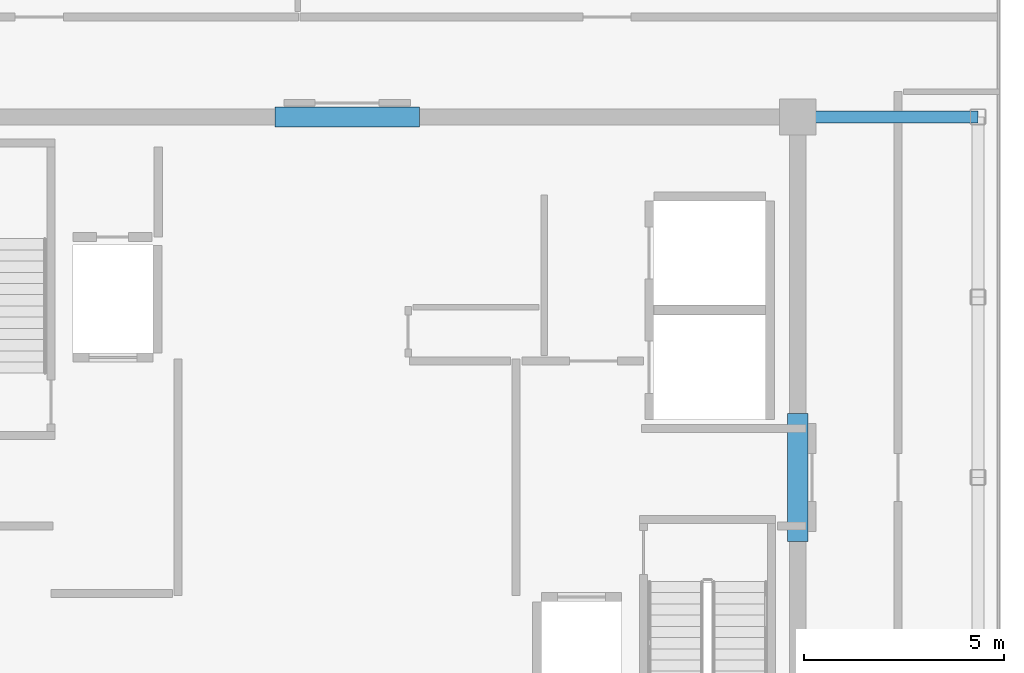
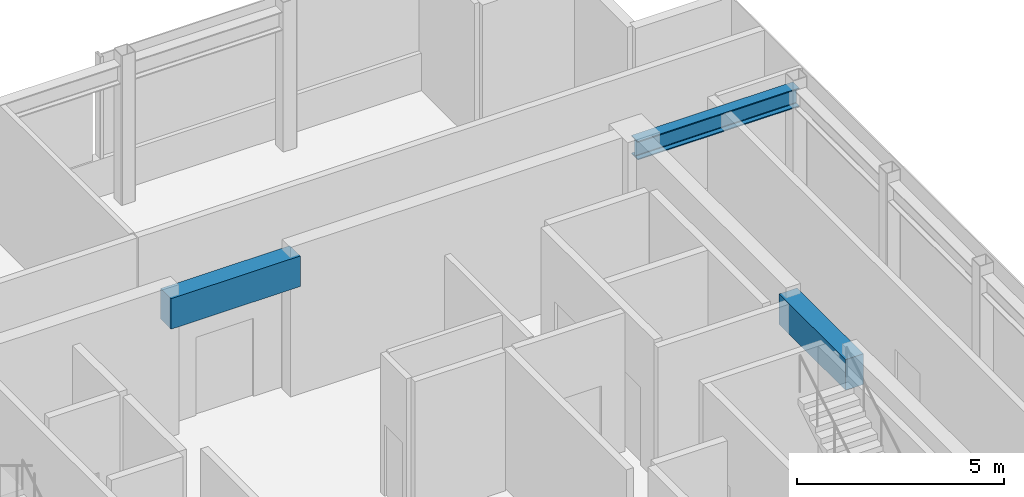
# One storey, part 6 of 14: 3 beams.
"""IFC4 building model written with IfcOpenShell, lengths in metres."""

from ifc_helpers import new_model, si_unit, direction, frame, origin, origin_2d, place, context, subcontext, project, spatial, rectangle, i_section, extrude, source, transform, mapped, material, material_profile, profile_set, type_object, element, save


model = new_model("IFC4")

# Units and contexts
model_context = context("Model", 3, precision=1e-05, world=origin(), true_north=direction((0.0, 1.0)))
body_context = subcontext(model_context, "Body", "Model", "MODEL_VIEW")
ifc_project = project(units=[si_unit("LENGTHUNIT", "METRE"), si_unit("AREAUNIT", "SQUARE_METRE"), si_unit("VOLUMEUNIT", "CUBIC_METRE"), si_unit("PLANEANGLEUNIT", "RADIAN"), si_unit("MASSUNIT", "GRAM", prefix="KILO")], contexts=[model_context])

# Site, building, storey
site_placement = place(None, origin())
site = spatial("IfcSite", under=ifc_project, at=site_placement, CompositionType="ELEMENT")
building_placement = place(site_placement, origin())
building = spatial("IfcBuilding", under=site, at=building_placement, Name="Nefas-Gora Pilgrimage Tower", CompositionType="ELEMENT")
storey_placement = place(building_placement, frame((0.0, 0.0, 363.0)))
storey = spatial("IfcBuildingStorey", under=building, at=storey_placement, Name="L91", CompositionType="ELEMENT", Elevation=363.0)

# Beams
ifc_material_1 = material(Name="Concrete C50/60", Category="concrete")
ifc_material_profile_1 = material_profile(ifc_material_1, rectangle(XDim=0.5, YDim=0.89990234375, at=origin_2d()), Name="RC 500x900")
ifc_profile_set_1 = profile_set([ifc_material_profile_1], Name="Concrete C50/60")
beam_type_1 = type_object("IfcBeamType", Name="BM-LIN-RC900", PredefinedType="LINTEL", material=ifc_profile_set_1)
shared_shape_1 = source(origin(), body_context, "Body", "SweptSolid", [
    extrude(rectangle(XDim=0.5, YDim=0.89990234375, at=origin_2d()), origin(), (0.0, 0.0, 1.0), 3.60009765625),
])
beam_1_placement = place(storey_placement, frame((-1.800048828125, 9.0, 3.64990234375), z_axis=(1.0, 0.0, 0.0), x_axis=(0.0, 1.0, 0.0)))
element("IfcBeam", 1, at=beam_1_placement, inside=storey, type_object=beam_type_1, Name="L91 Core Coupling Lintel Beam N", PredefinedType="LINTEL", context=body_context, shape_type="MappedRepresentation", body=[
    mapped(shared_shape_1, transform((0.0, 0.0, 0.0), x_axis=(1.0, 0.0, 0.0), y_axis=(0.0, 1.0, 0.0), z_axis=(0.0, 0.0, 1.0), scale=1.0)),
])
shared_shape_2 = source(origin(), body_context, "Body", "SweptSolid", [
    extrude(rectangle(XDim=0.5, YDim=0.89990234375, at=origin_2d()), origin(), (0.0, 0.0, 1.0), 3.2001953125),
])
beam_2_placement = place(storey_placement, frame((11.25, -1.60009765625, 3.64990234375), z_axis=(0.0, 1.0, 0.0), x_axis=(-1.0, 0.0, 0.0)))
element("IfcBeam", 2, at=beam_2_placement, inside=storey, type_object=beam_type_1, Name="L91 Core Coupling Lintel Beam E", PredefinedType="LINTEL", context=body_context, shape_type="MappedRepresentation", body=[
    mapped(shared_shape_2, transform((0.0, 0.0, 0.0), x_axis=(1.0, 0.0, 0.0), y_axis=(0.0, 1.0, 0.0), z_axis=(0.0, 0.0, 1.0), scale=1.0)),
])
ifc_material_2 = material(Name="Steel S355", Category="steel")
ifc_material_profile_2 = material_profile(ifc_material_2, i_section(OverallWidth=0.300048828125, OverallDepth=0.550048828125, WebThickness=0.014892578125, FlangeThickness=0.029052734375, FilletRadius=0.027099609375, at=origin_2d()), Name="HEB 550")
ifc_profile_set_2 = profile_set([ifc_material_profile_2], Name="Steel S355")
beam_type_2 = type_object("IfcBeamType", Name="BM-GIR-HEB550", PredefinedType="BEAM", material=ifc_profile_set_2)
shared_shape_3 = source(origin(), body_context, "Body", "SweptSolid", [
    extrude(i_section(OverallWidth=0.300048828125, OverallDepth=0.550048828125, WebThickness=0.014892578125, FlangeThickness=0.029052734375, FilletRadius=0.027099609375, at=origin_2d()), origin(), (0.0, 0.0, 1.0), 4.5),
])
beam_3_placement = place(storey_placement, frame((11.25, 9.0, 3.824951171875), z_axis=(1.0, 0.0, 0.0), x_axis=(0.0, 1.0, 0.0)))
element("IfcBeam", 3, at=beam_3_placement, inside=storey, type_object=beam_type_2, Name="L91 G-05 beam", PredefinedType="BEAM", context=body_context, shape_type="MappedRepresentation", body=[
    mapped(shared_shape_3, transform((0.0, 0.0, 0.0), x_axis=(1.0, 0.0, 0.0), y_axis=(0.0, 1.0, 0.0), z_axis=(0.0, 0.0, 1.0), scale=1.0)),
])

save(model, "model.ifc")
